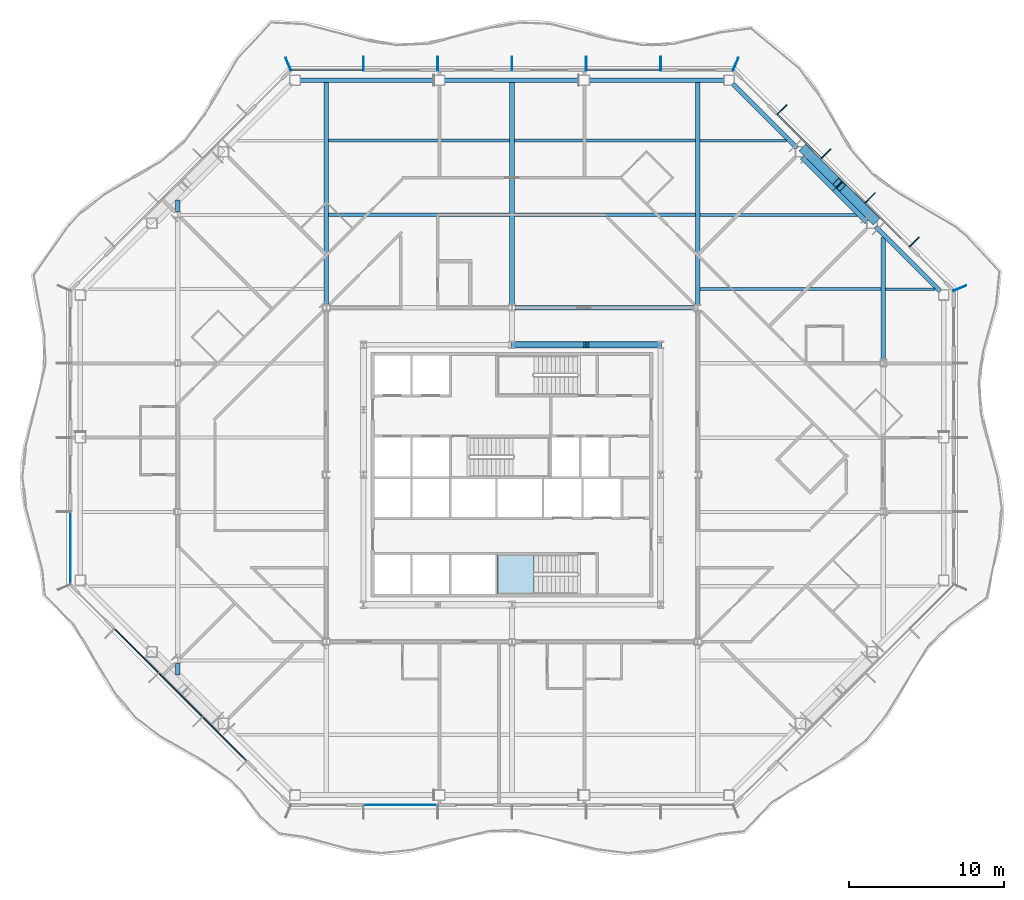
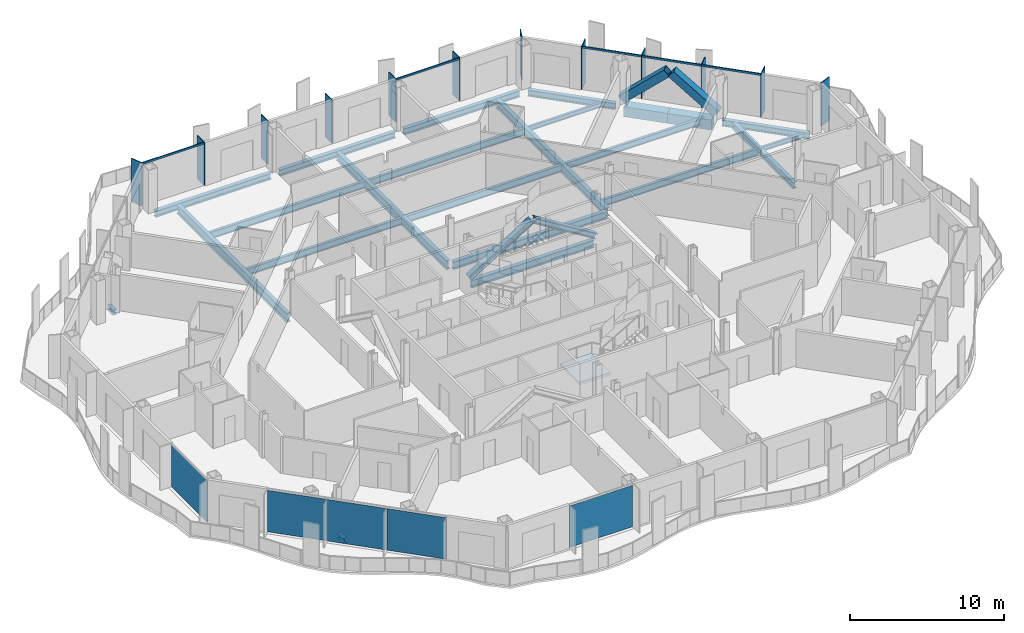
# One storey, part 5 of 21: 23 beams, 21 members, 5 plates, 1 slab, 7 elements without a shape of their own.
"""IFC4 building model written with IfcOpenShell, lengths in metres."""

from ifc_helpers import new_model, si_unit, direction, frame, origin, origin_2d, place, context, subcontext, project, spatial, polyline, rectangle, hollow_rectangle, i_section, outline, extrude, material, layer, layer_set, material_profile, profile_set, type_object, element, aggregate, save


model = new_model("IFC4")

# Units and contexts
model_context = context("Model", 3, precision=1e-05, world=origin(), true_north=direction((0.0, 1.0)))
body_context = subcontext(model_context, "Body", "Model", "MODEL_VIEW")
ifc_project = project(units=[si_unit("LENGTHUNIT", "METRE"), si_unit("AREAUNIT", "SQUARE_METRE"), si_unit("VOLUMEUNIT", "CUBIC_METRE"), si_unit("PLANEANGLEUNIT", "RADIAN"), si_unit("MASSUNIT", "GRAM", prefix="KILO")], contexts=[model_context])

# Site, building, storey
site_placement = place(None, origin())
site = spatial("IfcSite", under=ifc_project, at=site_placement, CompositionType="ELEMENT")
building_placement = place(site_placement, origin())
building = spatial("IfcBuilding", under=site, at=building_placement, Name="Cairn Pilgrim Tower", CompositionType="ELEMENT")
storey_placement = place(building_placement, frame((0.0, 0.0, 129.0)))
storey = spatial("IfcBuildingStorey", under=building, at=storey_placement, Name="L31", CompositionType="ELEMENT", Elevation=129.0)

# Members
ifc_material_1 = material(Name="Structural steel S460M", Category="steel")
ifc_material_profile_1 = material_profile(ifc_material_1, hollow_rectangle(XDim=0.60009765625, YDim=0.60009765625, WallThickness=0.034912109375, at=origin_2d()), Name="BOX 600x600x35")
ifc_profile_set_1 = profile_set([ifc_material_profile_1], Name="Structural steel S460M")
member_type_1 = type_object("IfcMemberType", Name="BOX 600x600x35 BRACE", PredefinedType="BRACE", material=ifc_profile_set_1)
member_1_placement = place(storey_placement, frame((30.613525390625, 18.888427734375, 0.14990234375), z_axis=(-0.53553019501, 0.53553019501, 0.653004456696), x_axis=(-0.707106781187, -0.707106781187, 0.0)))
element("IfcMember", 1, at=member_1_placement, inside=storey, type_object=member_type_1, Name="XB-NE2-NE3-1", PredefinedType="BRACE", context=body_context, shape_type="SweptSolid", body=[
    extrude(hollow_rectangle(XDim=0.60009765625, YDim=0.60009765625, WallThickness=0.034912109375, at=origin_2d()), origin(), (0.0, 0.0, 1.0), 4.035888671875),
])
member_2_placement = place(storey_placement, frame((26.08837890625, 23.41357421875, 0.14990234375), z_axis=(0.535573335815, -0.535512846393, 0.652983302476), x_axis=(0.707066846316, 0.707146713802, 0.0)))
element("IfcMember", 2, at=member_2_placement, inside=storey, type_object=member_type_1, Name="XB-NE2-NE3-2", PredefinedType="BRACE", context=body_context, shape_type="SweptSolid", body=[
    extrude(hollow_rectangle(XDim=0.60009765625, YDim=0.60009765625, WallThickness=0.034912109375, at=origin_2d()), origin(), (0.0, 0.0, 1.0), 4.0361328125),
])

# Beams
ifc_material_2 = material(Name="Structural steel S355J2", Category="steel")
ifc_material_profile_2 = material_profile(ifc_material_2, hollow_rectangle(XDim=0.699951171875, YDim=0.800048828125, WallThickness=0.0400390625, at=origin_2d()), Name="BOX 700x800x40")
ifc_profile_set_2 = profile_set([ifc_material_profile_2], Name="Structural steel S355J2")
beam_type_1 = type_object("IfcBeamType", Name="BOX 700x800x40 RING GIRDER", PredefinedType="SPANDREL", material=ifc_profile_set_2)
for number, where, z_axis, x_axis, name in (
    (3, (30.2529296875, 18.874267578125, -0.550048828125), (-0.707106781187, 0.707106781187, 0.0), (-0.707106781187, -0.707106781187, 0.0), "RG2-NE2-NE3-1"),
    (4, (28.16357421875, 20.963623046875, -0.550048828125), (-0.707106781187, 0.707106781187, 0.0), (-0.707106781187, -0.707106781187, 0.0), "RG2-NE2-NE3-2"),
):
    element("IfcBeam", number, at=place(storey_placement, frame(where, z_axis=z_axis, x_axis=x_axis)), inside=storey, type_object=beam_type_1, Name=name, PredefinedType="SPANDREL", context=body_context, shape_type="SweptSolid", body=[
        extrude(hollow_rectangle(XDim=0.699951171875, YDim=0.800048828125, WallThickness=0.0400390625, at=origin_2d()), origin(), (0.0, 0.0, 1.0), 2.954833984375),
    ])

# Curtain wall, members
ifc_material_3 = material(Name="Aluminium alloy 6063-T6 bronze anodised with Bronze tinted laminated low-E glass 8+16+8.8", Category="aluminium")
curtain_wall_type_1 = type_object("IfcCurtainWallType", Name="CHAMFER CORNER CURTAIN WALL", PredefinedType="NOTDEFINED", material=ifc_material_3)
curtain_wall_1_placement = place(storey_placement, origin())
curtain_wall_1 = element("IfcCurtainWall", 5, at=curtain_wall_1_placement, inside=storey, type_object=curtain_wall_type_1, Name="Chamfer Corner Curtain Wall NE", PredefinedType="NOTDEFINED")
ifc_material_4 = material(Name="Aluminium alloy 6063-T6 bronze anodised", Category="aluminium")
ifc_material_profile_3 = material_profile(ifc_material_4, rectangle(XDim=0.89990234375, YDim=0.06005859375, at=origin_2d()), Name="FIN MULLION 60x900 BRONZE")
ifc_profile_set_3 = profile_set([ifc_material_profile_3], Name="Aluminium alloy 6063-T6 bronze anodised")
member_type_2 = type_object("IfcMemberType", Name="FIN MULLION 60x900 BRONZE", PredefinedType="MULLION", material=ifc_profile_set_3)
member_3_placement = place(storey_placement, frame((36.137939453125, 14.457275390625, 0.0), z_axis=(0.0, 0.0, 1.0), x_axis=(0.923879532511, 0.382683432365, 0.0)))
member_3 = element("IfcMember", 6, at=member_3_placement, type_object=member_type_2, Name="Fin mullion NE1", PredefinedType="MULLION", context=body_context, shape_type="SweptSolid", body=[
    extrude(rectangle(XDim=0.89990234375, YDim=0.06005859375, at=origin_2d()), origin(), (0.0, 0.0, 1.0), 3.449951171875),
])
member_4_placement = place(storey_placement, frame((33.1962890625, 17.444091796875, 0.0), z_axis=(0.0, 0.0, 1.0), x_axis=(0.707106781187, 0.707106781187, 0.0)))
member_4 = element("IfcMember", 7, at=member_4_placement, type_object=member_type_2, Name="Fin mullion NE2", PredefinedType="MULLION", context=body_context, shape_type="SweptSolid", body=[
    extrude(rectangle(XDim=0.89990234375, YDim=0.06005859375, at=origin_2d()), origin(), (0.0, 0.0, 1.0), 3.449951171875),
])
member_5_placement = place(storey_placement, frame((30.345458984375, 20.294921875, 0.0), z_axis=(0.0, 0.0, 1.0), x_axis=(0.707106781187, 0.707106781187, 0.0)))
member_5 = element("IfcMember", 8, at=member_5_placement, type_object=member_type_2, Name="Fin mullion NE3", PredefinedType="MULLION", context=body_context, shape_type="SweptSolid", body=[
    extrude(rectangle(XDim=0.89990234375, YDim=0.06005859375, at=origin_2d()), origin(), (0.0, 0.0, 1.0), 3.449951171875),
])
member_6_placement = place(storey_placement, frame((27.494873046875, 23.1455078125, 0.0), z_axis=(0.0, 0.0, 1.0), x_axis=(0.707106781187, 0.707106781187, 0.0)))
member_6 = element("IfcMember", 9, at=member_6_placement, type_object=member_type_2, Name="Fin mullion NE4", PredefinedType="MULLION", context=body_context, shape_type="SweptSolid", body=[
    extrude(rectangle(XDim=0.89990234375, YDim=0.06005859375, at=origin_2d()), origin(), (0.0, 0.0, 1.0), 3.449951171875),
])
member_7_placement = place(storey_placement, frame((24.64404296875, 25.996337890625, 0.0), z_axis=(0.0, 0.0, 1.0), x_axis=(0.707106781187, 0.707106781187, 0.0)))
member_7 = element("IfcMember", 10, at=member_7_placement, type_object=member_type_2, Name="Fin mullion NE5", PredefinedType="MULLION", context=body_context, shape_type="SweptSolid", body=[
    extrude(rectangle(XDim=0.89990234375, YDim=0.06005859375, at=origin_2d()), origin(), (0.0, 0.0, 1.0), 3.449951171875),
])

curtain_wall_type_2 = type_object("IfcCurtainWallType", Name="TOWER STICK CURTAIN WALL NS", PredefinedType="NOTDEFINED", material=ifc_material_3)
curtain_wall_2_placement = place(storey_placement, origin())
curtain_wall_2 = element("IfcCurtainWall", 11, at=curtain_wall_2_placement, inside=storey, type_object=curtain_wall_type_2, Name="Tower Stick Curtain Wall Ns N", PredefinedType="NOTDEFINED")
member_8_placement = place(storey_placement, frame((21.6572265625, 28.93798828125, 0.0), z_axis=(0.0, 0.0, 1.0), x_axis=(0.382683432365, 0.923879532511, 0.0)))
member_8 = element("IfcMember", 12, at=member_8_placement, type_object=member_type_2, Name="Fin mullion N1", PredefinedType="MULLION", context=body_context, shape_type="SweptSolid", body=[
    extrude(rectangle(XDim=0.89990234375, YDim=0.06005859375, at=origin_2d()), origin(), (0.0, 0.0, 1.0), 3.449951171875),
])
member_9_placement = place(storey_placement, frame((16.800048828125, 28.969970703125, 0.0), z_axis=(0.0, 0.0, 1.0), x_axis=(0.0, 1.0, 0.0)))
member_9 = element("IfcMember", 13, at=member_9_placement, type_object=member_type_2, Name="Fin mullion N2", PredefinedType="MULLION", context=body_context, shape_type="SweptSolid", body=[
    extrude(rectangle(XDim=0.89990234375, YDim=0.06005859375, at=origin_2d()), origin(), (0.0, 0.0, 1.0), 3.449951171875),
])
member_10_placement = place(storey_placement, frame((12.0, 28.969970703125, 0.0), z_axis=(0.0, 0.0, 1.0), x_axis=(0.0, 1.0, 0.0)))
member_10 = element("IfcMember", 14, at=member_10_placement, type_object=member_type_2, Name="Fin mullion N3", PredefinedType="MULLION", context=body_context, shape_type="SweptSolid", body=[
    extrude(rectangle(XDim=0.89990234375, YDim=0.06005859375, at=origin_2d()), origin(), (0.0, 0.0, 1.0), 3.449951171875),
])
member_11_placement = place(storey_placement, frame((7.199951171875, 28.969970703125, 0.0), z_axis=(0.0, 0.0, 1.0), x_axis=(0.0, 1.0, 0.0)))
member_11 = element("IfcMember", 15, at=member_11_placement, type_object=member_type_2, Name="Fin mullion N4", PredefinedType="MULLION", context=body_context, shape_type="SweptSolid", body=[
    extrude(rectangle(XDim=0.89990234375, YDim=0.06005859375, at=origin_2d()), origin(), (0.0, 0.0, 1.0), 3.449951171875),
])
member_12_placement = place(storey_placement, frame((2.39990234375, 28.969970703125, 0.0), z_axis=(0.0, 0.0, 1.0), x_axis=(0.0, 1.0, 0.0)))
member_12 = element("IfcMember", 16, at=member_12_placement, type_object=member_type_2, Name="Fin mullion N5", PredefinedType="MULLION", context=body_context, shape_type="SweptSolid", body=[
    extrude(rectangle(XDim=0.89990234375, YDim=0.06005859375, at=origin_2d()), origin(), (0.0, 0.0, 1.0), 3.449951171875),
])
member_13_placement = place(storey_placement, frame((-2.39990234375, 28.969970703125, 0.0), z_axis=(0.0, 0.0, 1.0), x_axis=(0.0, 1.0, 0.0)))
member_13 = element("IfcMember", 17, at=member_13_placement, type_object=member_type_2, Name="Fin mullion N6", PredefinedType="MULLION", context=body_context, shape_type="SweptSolid", body=[
    extrude(rectangle(XDim=0.89990234375, YDim=0.06005859375, at=origin_2d()), origin(), (0.0, 0.0, 1.0), 3.449951171875),
])

# Curtain wall, member
curtain_wall_3_placement = place(storey_placement, origin())
curtain_wall_3 = element("IfcCurtainWall", 18, at=curtain_wall_3_placement, inside=storey, type_object=curtain_wall_type_1, Name="Chamfer Corner Curtain Wall NW", PredefinedType="NOTDEFINED")
member_14_placement = place(storey_placement, frame((-7.257080078125, 28.93798828125, 0.0), z_axis=(0.0, 0.0, 1.0), x_axis=(-0.382683432365, 0.923879532511, 0.0)))
member_14 = element("IfcMember", 19, at=member_14_placement, type_object=member_type_2, Name="Fin mullion NW1", PredefinedType="MULLION", context=body_context, shape_type="SweptSolid", body=[
    extrude(rectangle(XDim=0.89990234375, YDim=0.06005859375, at=origin_2d()), origin(), (0.0, 0.0, 1.0), 3.449951171875),
])
aggregate(curtain_wall_3, [member_14])

# Members
ifc_material_profile_4 = material_profile(ifc_material_1, i_section(OverallWidth=0.408935546875, OverallDepth=0.425048828125, WebThickness=0.03271484375, FlangeThickness=0.052490234375, FilletRadius=0.014892578125, at=origin_2d()), Name="HD 400x421")
ifc_profile_set_4 = profile_set([ifc_material_profile_4], Name="Structural steel S460M")
member_type_3 = type_object("IfcMemberType", Name="HD 400x421 BRACE", PredefinedType="BRACE", material=ifc_profile_set_4)
for number, where, z_axis, x_axis, name in (
    (20, (16.757568359375, 10.800048828125, 0.10009765625), (-0.85108304523, 0.0, 0.525031094434), (0.0, -1.0, 0.0), "KB-3A"),
    (21, (7.242431640625, 10.800048828125, 0.10009765625), (0.85108304523, 0.0, 0.525031094434), (0.0, 1.0, 0.0), "KB-3B"),
):
    element("IfcMember", number, at=place(storey_placement, frame(where, z_axis=z_axis, x_axis=x_axis)), inside=storey, type_object=member_type_3, Name=name, PredefinedType="BRACE", context=body_context, shape_type="SweptSolid", body=[
        extrude(i_section(OverallWidth=0.408935546875, OverallDepth=0.425048828125, WebThickness=0.03271484375, FlangeThickness=0.052490234375, FilletRadius=0.014892578125, at=origin_2d()), origin(), (0.0, 0.0, 1.0), 5.527587890625),
    ])

# Beams
ifc_material_profile_5 = material_profile(ifc_material_2, i_section(OverallWidth=0.300048828125, OverallDepth=0.39990234375, WebThickness=0.013427734375, FlangeThickness=0.02392578125, FilletRadius=0.027099609375, at=origin_2d()), Name="HEB 400")
ifc_profile_set_5 = profile_set([ifc_material_profile_5], Name="Structural steel S355J2")
beam_type_2 = type_object("IfcBeamType", Name="HEB 400 GIRDER", PredefinedType="BEAM", material=ifc_profile_set_5)
for number, where, z_axis, x_axis, name in (
    (22, (-14.39990234375, -10.545166015625, -0.35009765625), (0.0, 1.0, 0.0), (-1.0, 0.0, 0.0), "PG1-E1"),
    (23, (-14.39990234375, 19.3994140625, -0.35009765625), (0.0, 1.0, 0.0), (-1.0, 0.0, 0.0), "PG1-E2"),
):
    element("IfcBeam", number, at=place(storey_placement, frame(where, z_axis=z_axis, x_axis=x_axis)), inside=storey, type_object=beam_type_2, Name=name, PredefinedType="BEAM", context=body_context, shape_type="SweptSolid", body=[
        extrude(i_section(OverallWidth=0.300048828125, OverallDepth=0.39990234375, WebThickness=0.013427734375, FlangeThickness=0.02392578125, FilletRadius=0.027099609375, at=origin_2d()), origin(), (0.0, 0.0, 1.0), 0.74560546875),
    ])
ifc_material_profile_6 = material_profile(ifc_material_2, i_section(OverallWidth=0.300048828125, OverallDepth=0.5, WebThickness=0.014404296875, FlangeThickness=0.028076171875, FilletRadius=0.027099609375, at=origin_2d()), Name="HEB 500")
ifc_profile_set_6 = profile_set([ifc_material_profile_6], Name="Structural steel S355J2")
beam_type_3 = type_object("IfcBeamType", Name="HEB 500 GIRDER", PredefinedType="BEAM", material=ifc_profile_set_6)
beam_1_placement = place(storey_placement, frame((31.199951171875, 9.804443359375, -0.39990234375), z_axis=(0.0, 1.0, 0.0), x_axis=(-1.0, 0.0, 0.0)))
element("IfcBeam", 24, at=beam_1_placement, inside=storey, type_object=beam_type_3, Name="PG5-3", PredefinedType="BEAM", context=body_context, shape_type="SweptSolid", body=[
    extrude(i_section(OverallWidth=0.300048828125, OverallDepth=0.5, WebThickness=0.014404296875, FlangeThickness=0.028076171875, FilletRadius=0.027099609375, at=origin_2d()), origin(), (0.0, 0.0, 1.0), 7.940673828125),
])
ifc_material_profile_7 = material_profile(ifc_material_2, i_section(OverallWidth=0.300048828125, OverallDepth=0.5, WebThickness=0.014404296875, FlangeThickness=0.028076171875, FilletRadius=0.027099609375, at=origin_2d()), Name="HEB 500")
ifc_profile_set_7 = profile_set([ifc_material_profile_7], Name="Structural steel S355J2")
beam_type_4 = type_object("IfcBeamType", Name="HEB 500 RING GIRDER", PredefinedType="SPANDREL", material=ifc_profile_set_7)
for number, where, z_axis, x_axis, name in (
    (25, (34.877197265625, 14.25, -0.39990234375), (-0.707106781187, 0.707106781187, 0.0), (-0.707106781187, -0.707106781187, 0.0), "RG2-NE1-NE2"),
    (26, (25.628662109375, 23.49853515625, -0.39990234375), (-0.707106781187, 0.707106781187, 0.0), (-0.707106781187, -0.707106781187, 0.0), "RG2-NE3-N1"),
):
    element("IfcBeam", number, at=place(storey_placement, frame(where, z_axis=z_axis, x_axis=x_axis)), inside=storey, type_object=beam_type_4, Name=name, PredefinedType="SPANDREL", context=body_context, shape_type="SweptSolid", body=[
        extrude(i_section(OverallWidth=0.300048828125, OverallDepth=0.5, WebThickness=0.014404296875, FlangeThickness=0.028076171875, FilletRadius=0.027099609375, at=origin_2d()), origin(), (0.0, 0.0, 1.0), 5.90966796875),
    ])
for number, where, z_axis, x_axis, name in (
    (27, (20.912109375, 27.89990234375, -0.39990234375), (-1.0, 0.0, 0.0), (0.0, -1.0, 0.0), "RG2-N1-N2"),
    (28, (11.560791015625, 27.89990234375, -0.39990234375), (-1.0, 0.0, 0.0), (0.0, -1.0, 0.0), "RG2-N2-N3"),
    (29, (2.209228515625, 27.89990234375, -0.39990234375), (-1.0, 0.0, 0.0), (0.0, -1.0, 0.0), "RG2-N3-NW1"),
):
    element("IfcBeam", number, at=place(storey_placement, frame(where, z_axis=z_axis, x_axis=x_axis)), inside=storey, type_object=beam_type_4, Name=name, PredefinedType="SPANDREL", context=body_context, shape_type="SweptSolid", body=[
        extrude(i_section(OverallWidth=0.300048828125, OverallDepth=0.5, WebThickness=0.014404296875, FlangeThickness=0.028076171875, FilletRadius=0.027099609375, at=origin_2d()), origin(), (0.0, 0.0, 1.0), 8.721435546875),
    ])
ifc_material_profile_8 = material_profile(ifc_material_2, i_section(OverallWidth=0.300048828125, OverallDepth=0.60009765625, WebThickness=0.015380859375, FlangeThickness=0.030029296875, FilletRadius=0.027099609375, at=origin_2d()), Name="HEB 600")
ifc_profile_set_8 = profile_set([ifc_material_profile_8], Name="Structural steel S355J2")
beam_type_5 = type_object("IfcBeamType", Name="HEB 600 CORE BEAM", PredefinedType="BEAM", material=ifc_profile_set_8)
beam_2_placement = place(storey_placement, frame((16.609130859375, 10.800048828125, -0.449951171875), z_axis=(-1.0, 0.0, 0.0), x_axis=(0.0, -1.0, 0.0)))
element("IfcBeam", 30, at=beam_2_placement, inside=storey, type_object=beam_type_5, Name="CB-5", PredefinedType="BEAM", context=body_context, shape_type="SweptSolid", body=[
    extrude(i_section(OverallWidth=0.300048828125, OverallDepth=0.60009765625, WebThickness=0.015380859375, FlangeThickness=0.030029296875, FilletRadius=0.027099609375, at=origin_2d()), origin(), (0.0, 0.0, 1.0), 9.21826171875),
])
ifc_material_profile_9 = material_profile(ifc_material_2, i_section(OverallWidth=0.300048828125, OverallDepth=0.60009765625, WebThickness=0.015380859375, FlangeThickness=0.030029296875, FilletRadius=0.027099609375, at=origin_2d()), Name="HEB 600")
ifc_profile_set_9 = profile_set([ifc_material_profile_9], Name="Structural steel S355J2")
beam_type_6 = type_object("IfcBeamType", Name="HEB 600 INNER GIRDER", PredefinedType="BEAM", material=ifc_profile_set_9)
beam_3_placement = place(storey_placement, frame((7.404541015625, 13.199951171875, -0.449951171875), z_axis=(1.0, 0.0, 0.0), x_axis=(0.0, 1.0, 0.0)))
element("IfcBeam", 31, at=beam_3_placement, inside=storey, type_object=beam_type_6, Name="IG2-2", PredefinedType="BEAM", context=body_context, shape_type="SweptSolid", body=[
    extrude(i_section(OverallWidth=0.300048828125, OverallDepth=0.60009765625, WebThickness=0.015380859375, FlangeThickness=0.030029296875, FilletRadius=0.027099609375, at=origin_2d()), origin(), (0.0, 0.0, 1.0), 11.591064453125),
])
ifc_material_profile_10 = material_profile(ifc_material_2, i_section(OverallWidth=0.300048828125, OverallDepth=0.699951171875, WebThickness=0.01708984375, FlangeThickness=0.031982421875, FilletRadius=0.027099609375, at=origin_2d()), Name="HEB 700")
ifc_profile_set_10 = profile_set([ifc_material_profile_10], Name="Structural steel S355J2")
beam_type_7 = type_object("IfcBeamType", Name="HEB 700 GIRDER", PredefinedType="BEAM", material=ifc_profile_set_10)
for number, where, z_axis, x_axis, name in (
    (32, (-4.800048828125, 13.404541015625, -0.5), (0.0, 1.0, 0.0), (-1.0, 0.0, 0.0), "PG2-4"),
    (33, (7.199951171875, 13.404541015625, -0.5), (0.0, 1.0, 0.0), (-1.0, 0.0, 0.0), "PG3-2"),
    (34, (19.199951171875, 13.404541015625, -0.5), (0.0, 1.0, 0.0), (-1.0, 0.0, 0.0), "PG4-4"),
):
    element("IfcBeam", number, at=place(storey_placement, frame(where, z_axis=z_axis, x_axis=x_axis)), inside=storey, type_object=beam_type_7, Name=name, PredefinedType="BEAM", context=body_context, shape_type="SweptSolid", body=[
        extrude(i_section(OverallWidth=0.300048828125, OverallDepth=0.699951171875, WebThickness=0.01708984375, FlangeThickness=0.031982421875, FilletRadius=0.027099609375, at=origin_2d()), origin(), (0.0, 0.0, 1.0), 14.37548828125),
    ])
ifc_material_profile_11 = material_profile(ifc_material_2, i_section(OverallWidth=0.169921875, OverallDepth=0.360107421875, WebThickness=0.008056640625, FlangeThickness=0.0126953125, FilletRadius=0.01806640625, at=origin_2d()), Name="IPE 360")
ifc_profile_set_11 = profile_set([ifc_material_profile_11], Name="Structural steel S355J2")
beam_type_8 = type_object("IfcBeamType", Name="IPE 360 SECONDARY BEAM", PredefinedType="JOIST", material=ifc_profile_set_11)
beam_4_placement = place(storey_placement, frame((31.35009765625, 14.39990234375, -0.330078125), z_axis=(1.0, 0.0, 0.0), x_axis=(0.0, 1.0, 0.0)))
element("IfcBeam", 35, at=beam_4_placement, inside=storey, type_object=beam_type_8, Name="SB7-4", PredefinedType="JOIST", context=body_context, shape_type="SweptSolid", body=[
    extrude(i_section(OverallWidth=0.169921875, OverallDepth=0.360107421875, WebThickness=0.008056640625, FlangeThickness=0.0126953125, FilletRadius=0.01806640625, at=origin_2d()), origin(), (0.0, 0.0, 1.0), 3.195068359375),
])
beam_5_placement = place(storey_placement, frame((19.35009765625, 24.0, -0.330078125), z_axis=(1.0, 0.0, 0.0), x_axis=(0.0, 1.0, 0.0)))
element("IfcBeam", 36, at=beam_5_placement, inside=storey, type_object=beam_type_8, Name="SB9-4", PredefinedType="JOIST", context=body_context, shape_type="SweptSolid", body=[
    extrude(i_section(OverallWidth=0.169921875, OverallDepth=0.360107421875, WebThickness=0.008056640625, FlangeThickness=0.0126953125, FilletRadius=0.01806640625, at=origin_2d()), origin(), (0.0, 0.0, 1.0), 5.594970703125),
])
ifc_material_profile_12 = material_profile(ifc_material_2, i_section(OverallWidth=0.199951171875, OverallDepth=0.5, WebThickness=0.01025390625, FlangeThickness=0.01611328125, FilletRadius=0.02099609375, at=origin_2d()), Name="IPE 500")
ifc_profile_set_12 = profile_set([ifc_material_profile_12], Name="Structural steel S355J2")
beam_type_9 = type_object("IfcBeamType", Name="IPE 500 SECONDARY BEAM", PredefinedType="JOIST", material=ifc_profile_set_12)
beam_6_placement = place(storey_placement, frame((19.35009765625, 19.199951171875, -0.39990234375), z_axis=(1.0, 0.0, 0.0), x_axis=(0.0, 1.0, 0.0)))
element("IfcBeam", 37, at=beam_6_placement, inside=storey, type_object=beam_type_9, Name="SB8-4", PredefinedType="JOIST", context=body_context, shape_type="SweptSolid", body=[
    extrude(i_section(OverallWidth=0.199951171875, OverallDepth=0.5, WebThickness=0.01025390625, FlangeThickness=0.01611328125, FilletRadius=0.02099609375, at=origin_2d()), origin(), (0.0, 0.0, 1.0), 10.39501953125),
])
ifc_material_profile_13 = material_profile(ifc_material_2, i_section(OverallWidth=0.2099609375, OverallDepth=0.550048828125, WebThickness=0.010986328125, FlangeThickness=0.01708984375, FilletRadius=0.02392578125, at=origin_2d()), Name="IPE 550")
ifc_profile_set_13 = profile_set([ifc_material_profile_13], Name="Structural steel S355J2")
beam_type_10 = type_object("IfcBeamType", Name="IPE 550 SECONDARY BEAM", PredefinedType="JOIST", material=ifc_profile_set_13)
for number, where, z_axis, x_axis, name in (
    (38, (19.35009765625, 14.39990234375, -0.425048828125), (1.0, 0.0, 0.0), (0.0, 1.0, 0.0), "SB7-3"),
    (39, (-4.64990234375, 19.199951171875, -0.425048828125), (1.0, 0.0, 0.0), (0.0, 1.0, 0.0), "SB8-2"),
    (40, (7.35009765625, 19.199951171875, -0.425048828125), (1.0, 0.0, 0.0), (0.0, 1.0, 0.0), "SB8-3"),
    (41, (-4.64990234375, 24.0, -0.425048828125), (1.0, 0.0, 0.0), (0.0, 1.0, 0.0), "SB9-2"),
    (42, (7.35009765625, 24.0, -0.425048828125), (1.0, 0.0, 0.0), (0.0, 1.0, 0.0), "SB9-3"),
):
    element("IfcBeam", number, at=place(storey_placement, frame(where, z_axis=z_axis, x_axis=x_axis)), inside=storey, type_object=beam_type_10, Name=name, PredefinedType="JOIST", context=body_context, shape_type="SweptSolid", body=[
        extrude(i_section(OverallWidth=0.2099609375, OverallDepth=0.550048828125, WebThickness=0.010986328125, FlangeThickness=0.01708984375, FilletRadius=0.02392578125, at=origin_2d()), origin(), (0.0, 0.0, 1.0), 11.699951171875),
    ])

# Member
ifc_material_profile_14 = material_profile(ifc_material_4, rectangle(XDim=0.080078125, YDim=0.14990234375, at=origin_2d()), Name="TRANSOM 80x150 BRONZE")
ifc_profile_set_14 = profile_set([ifc_material_profile_14], Name="Aluminium alloy 6063-T6 bronze anodised")
member_type_4 = type_object("IfcMemberType", Name="TRANSOM 80x150 BRONZE", PredefinedType="USERDEFINED", material=ifc_profile_set_14)
member_15_placement = place(storey_placement, frame((32.878173828125, 17.16845703125, 3.375), z_axis=(-0.70713751761, 0.707076043427, 0.0), x_axis=(-0.707076043427, -0.70713751761, 0.0)))
member_15 = element("IfcMember", 43, at=member_15_placement, type_object=member_type_4, Name="Transom NE2", ObjectType="TRANSOM", PredefinedType="USERDEFINED", context=body_context, shape_type="SweptSolid", body=[
    extrude(rectangle(XDim=0.080078125, YDim=0.14990234375, at=origin_2d()), origin(), (0.0, 0.0, 1.0), 3.971435546875),
])

member_16_placement = place(storey_placement, frame((30.02734375, 20.01904296875, 3.375), z_axis=(-0.707106781187, 0.707106781187, 0.0), x_axis=(-0.707106781187, -0.707106781187, 0.0)))
member_16 = element("IfcMember", 44, at=member_16_placement, type_object=member_type_4, Name="Transom NE3", ObjectType="TRANSOM", PredefinedType="USERDEFINED", context=body_context, shape_type="SweptSolid", body=[
    extrude(rectangle(XDim=0.080078125, YDim=0.14990234375, at=origin_2d()), origin(), (0.0, 0.0, 1.0), 3.9716796875),
])

member_17_placement = place(storey_placement, frame((27.1767578125, 22.869873046875, 3.375), z_axis=(-0.70713751761, 0.707076043427, 0.0), x_axis=(-0.707076043427, -0.70713751761, 0.0)))
member_17 = element("IfcMember", 45, at=member_17_placement, type_object=member_type_4, Name="Transom NE4", ObjectType="TRANSOM", PredefinedType="USERDEFINED", context=body_context, shape_type="SweptSolid", body=[
    extrude(rectangle(XDim=0.080078125, YDim=0.14990234375, at=origin_2d()), origin(), (0.0, 0.0, 1.0), 3.971435546875),
])

aggregate(curtain_wall_1, [member_3, member_4, member_5, member_6, member_7, member_15, member_16, member_17])

member_18_placement = place(storey_placement, frame((16.77001953125, 28.550048828125, 3.375), z_axis=(-1.0, 0.0, 0.0), x_axis=(0.0, -1.0, 0.0)))
member_18 = element("IfcMember", 46, at=member_18_placement, type_object=member_type_4, Name="Transom N2", ObjectType="TRANSOM", PredefinedType="USERDEFINED", context=body_context, shape_type="SweptSolid", body=[
    extrude(rectangle(XDim=0.080078125, YDim=0.14990234375, at=origin_2d()), origin(), (0.0, 0.0, 1.0), 4.739990234375),
])

member_19_placement = place(storey_placement, frame((-2.429931640625, 28.550048828125, 3.375), z_axis=(-1.0, 0.0, 0.0), x_axis=(0.0, -1.0, 0.0)))
member_19 = element("IfcMember", 47, at=member_19_placement, type_object=member_type_4, Name="Transom N6", ObjectType="TRANSOM", PredefinedType="USERDEFINED", context=body_context, shape_type="SweptSolid", body=[
    extrude(rectangle(XDim=0.080078125, YDim=0.14990234375, at=origin_2d()), origin(), (0.0, 0.0, 1.0), 4.62646484375),
])

aggregate(curtain_wall_2, [member_8, member_9, member_10, member_11, member_12, member_13, member_18, member_19])

# Curtain wall, plates
curtain_wall_4_placement = place(storey_placement, origin())
curtain_wall_4 = element("IfcCurtainWall", 48, at=curtain_wall_4_placement, inside=storey, type_object=curtain_wall_type_1, Name="Chamfer Corner Curtain Wall SW", PredefinedType="NOTDEFINED")
ifc_material_5 = material(Name="Bronze anodised aluminium spandrel panel with mineral wool insulation", Category="aluminium")
ifc_layer_1 = layer(ifc_material_5, 0.06005859375)
ifc_layer_set_1 = layer_set([ifc_layer_1], Name="SPANDREL PANEL 3972x3300")
plate_type_1 = type_object("IfcPlateType", Name="SPANDREL PANEL 3972x3300", PredefinedType="CURTAIN_PANEL", material=ifc_layer_set_1)
plate_1_placement = place(storey_placement, frame((-17.073974609375, -8.972412109375, 0.0), z_axis=(0.0, 0.0, 1.0), x_axis=(0.707106781187, -0.707106781187, 0.0)))
plate_1 = element("IfcPlate", 49, at=plate_1_placement, type_object=plate_type_1, Name="Spandrel Panel SW2-1", PredefinedType="CURTAIN_PANEL", context=body_context, shape_type="SweptSolid", body=[
    extrude(rectangle(XDim=3.971435546875, YDim=0.06005859375, at=origin_2d()), origin(), (0.0, 0.0, 1.0), 3.300048828125),
])
plate_2_placement = place(storey_placement, frame((-14.22314453125, -11.8232421875, 0.0), z_axis=(0.0, 0.0, 1.0), x_axis=(0.707106781187, -0.707106781187, 0.0)))
plate_2 = element("IfcPlate", 50, at=plate_2_placement, type_object=plate_type_1, Name="Spandrel Panel SW3-1", PredefinedType="CURTAIN_PANEL", context=body_context, shape_type="SweptSolid", body=[
    extrude(rectangle(XDim=3.971435546875, YDim=0.06005859375, at=origin_2d()), origin(), (0.0, 0.0, 1.0), 3.300048828125),
])
plate_3_placement = place(storey_placement, frame((-11.37255859375, -14.673828125, 0.0), z_axis=(0.0, 0.0, 1.0), x_axis=(0.707106781187, -0.707106781187, 0.0)))
plate_3 = element("IfcPlate", 51, at=plate_3_placement, type_object=plate_type_1, Name="Spandrel Panel SW4-1", PredefinedType="CURTAIN_PANEL", context=body_context, shape_type="SweptSolid", body=[
    extrude(rectangle(XDim=3.971435546875, YDim=0.06005859375, at=origin_2d()), origin(), (0.0, 0.0, 1.0), 3.300048828125),
])
aggregate(curtain_wall_4, [plate_1, plate_2, plate_3])

# Stair, slab
ifc_material_6 = material(Name="Concrete C32/40", Category="concrete")
stair_type = type_object("IfcStairType", Name="EXIT STAIR 1200", PredefinedType="HALF_TURN_STAIR", material=ifc_material_6)
stair_placement = place(storey_placement, origin())
stair = element("IfcStair", 52, at=stair_placement, inside=storey, type_object=stair_type, Name="L31 Exit Stair A", PredefinedType="HALF_TURN_STAIR")
ifc_layer_2 = layer(ifc_material_6, 0.199951171875)
ifc_layer_set_2 = layer_set([ifc_layer_2], Name="STAIR LANDING 200")
slab_type = type_object("IfcSlabType", Name="STAIR LANDING 200", PredefinedType="LANDING", material=ifc_layer_set_2)
slab_placement = place(storey_placement, frame((0.0, 0.0, 1.60009765625)))
slab = element("IfcSlab", 53, at=slab_placement, type_object=slab_type, Name="ST-A landing 1", PredefinedType="LANDING", context=body_context, shape_type="SweptSolid", body=[
    extrude(outline(polyline([(8.625, -2.77490234375), (6.27490234375, -2.77490234375), (6.27490234375, -5.300048828125), (8.625, -5.300048828125), (8.625, -2.77490234375)])), origin(), (0.0, 0.0, 1.0), 0.199951171875),
])
aggregate(stair, [slab])

# Curtain wall, plate
curtain_wall_type_3 = type_object("IfcCurtainWallType", Name="TOWER STICK CURTAIN WALL EW", PredefinedType="NOTDEFINED", material=ifc_material_3)
curtain_wall_5_placement = place(storey_placement, origin())
curtain_wall_5 = element("IfcCurtainWall", 54, at=curtain_wall_5_placement, inside=storey, type_object=curtain_wall_type_3, Name="Tower Stick Curtain Wall Ew W", PredefinedType="NOTDEFINED")
ifc_material_7 = material(Name="Bronze tinted laminated low-E glass 8+16+8.8", Category="glass")
ifc_layer_3 = layer(ifc_material_7, 0.033935546875)
ifc_layer_set_3 = layer_set([ifc_layer_3], Name="VISION GLAZING 4626x3300")
plate_type_2 = type_object("IfcPlateType", Name="VISION GLAZING 4626x3300", PredefinedType="CURTAIN_PANEL", material=ifc_layer_set_3)
plate_4_placement = place(storey_placement, frame((-21.35009765625, -2.34326171875, 0.0), z_axis=(0.0, 0.0, 1.0), x_axis=(0.0, -1.0, 0.0)))
plate_4 = element("IfcPlate", 55, at=plate_4_placement, type_object=plate_type_2, Name="Vision Glazing W4-1", PredefinedType="CURTAIN_PANEL", context=body_context, shape_type="SweptSolid", body=[
    extrude(rectangle(XDim=4.62646484375, YDim=0.033935546875, at=origin_2d()), origin(), (0.0, 0.0, 1.0), 3.300048828125),
])
aggregate(curtain_wall_5, [plate_4])

curtain_wall_6_placement = place(storey_placement, origin())
curtain_wall_6 = element("IfcCurtainWall", 56, at=curtain_wall_6_placement, inside=storey, type_object=curtain_wall_type_2, Name="Tower Stick Curtain Wall Ns S", PredefinedType="NOTDEFINED")
ifc_layer_4 = layer(ifc_material_7, 0.033935546875)
ifc_layer_set_4 = layer_set([ifc_layer_4], Name="VISION GLAZING 4740x3300")
plate_type_3 = type_object("IfcPlateType", Name="VISION GLAZING 4740x3300", PredefinedType="CURTAIN_PANEL", material=ifc_layer_set_4)
plate_5_placement = place(storey_placement, frame((0.0, -18.949951171875, 0.0), z_axis=(0.0, 0.0, 1.0), x_axis=(1.0, 0.0, 0.0)))
plate_5 = element("IfcPlate", 57, at=plate_5_placement, type_object=plate_type_3, Name="Vision Glazing S2-1", PredefinedType="CURTAIN_PANEL", context=body_context, shape_type="SweptSolid", body=[
    extrude(rectangle(XDim=4.739990234375, YDim=0.033935546875, at=origin_2d()), origin(), (0.0, 0.0, 1.0), 3.300048828125),
])
aggregate(curtain_wall_6, [plate_5])

save(model, "model.ifc")
